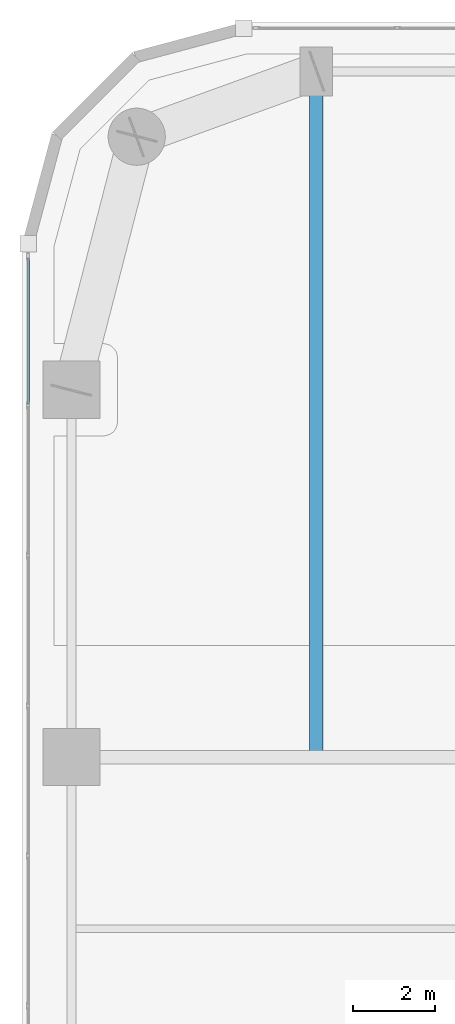
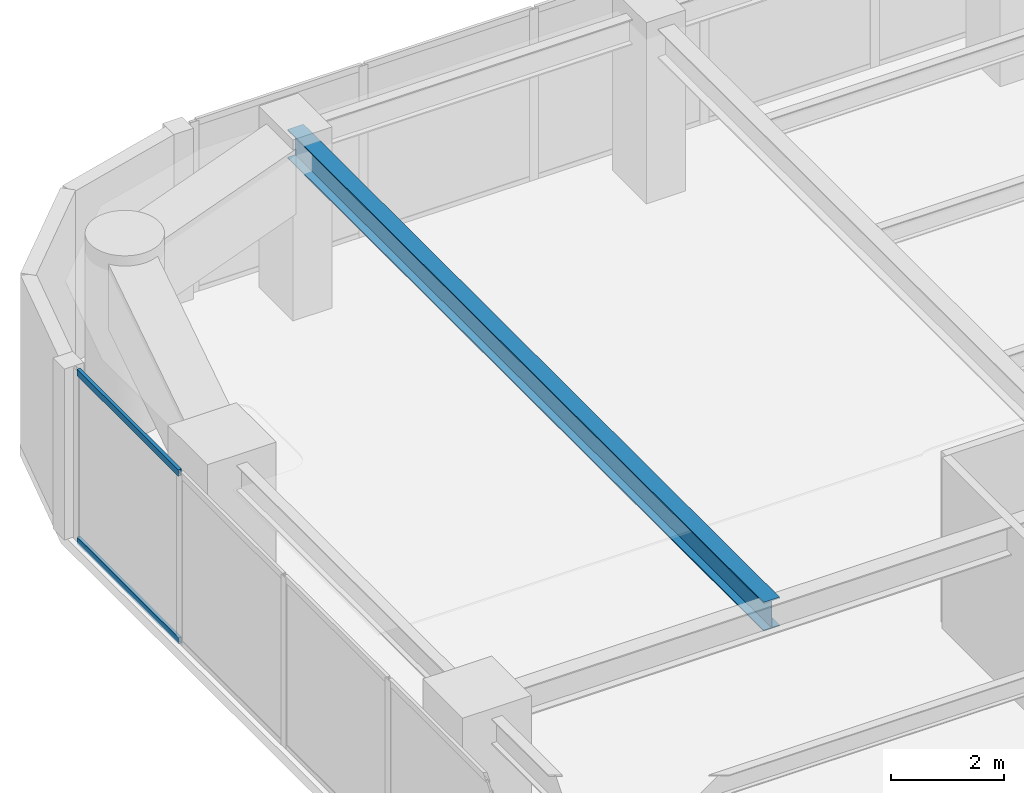
# One storey, part 14 of 30: 2 members, 1 beam, 1 element without a shape of its own.
"""IFC4 building model written with IfcOpenShell, lengths in metres."""

from ifc_helpers import new_model, si_unit, direction, frame, origin, origin_2d, place, context, subcontext, project, spatial, hollow_rectangle, i_section, extrude, material, layer, layer_set, material_profile, profile_set, type_object, element, aggregate, save


model = new_model("IFC4")

# Units and contexts
model_context = context("Model", 3, precision=1e-05, world=origin(), true_north=direction((0.0, 1.0)))
body_context = subcontext(model_context, "Body", "Model", "MODEL_VIEW")
ifc_project = project(units=[si_unit("LENGTHUNIT", "METRE"), si_unit("AREAUNIT", "SQUARE_METRE"), si_unit("VOLUMEUNIT", "CUBIC_METRE"), si_unit("PLANEANGLEUNIT", "RADIAN"), si_unit("MASSUNIT", "GRAM", prefix="KILO")], contexts=[model_context])

# Site, building, storey
site_placement = place(None, origin())
site = spatial("IfcSite", under=ifc_project, at=site_placement, CompositionType="ELEMENT")
building_placement = place(site_placement, origin())
building = spatial("IfcBuilding", under=site, at=building_placement, Name="Kiyonajd Concourse Tower", CompositionType="ELEMENT")
storey_placement = place(building_placement, frame((0.0, 0.0, 154.5)))
storey = spatial("IfcBuildingStorey", under=building, at=storey_placement, Name="L39", CompositionType="ELEMENT", Elevation=154.5)

# Beam
ifc_material_1 = material(Name="Steel ASTM A992 Grade 50", Category="steel")
ifc_material_profile_1 = material_profile(ifc_material_1, i_section(OverallWidth=0.326904296875, OverallDepth=0.6220703125, WebThickness=0.015380859375, FlangeThickness=0.0244140625, at=origin_2d()), Name="W610X195")
ifc_profile_set_1 = profile_set([ifc_material_profile_1], Name="Steel ASTM A992 Grade 50")
beam_type = type_object("IfcBeamType", Name="BM-TWR-610A", PredefinedType="BEAM", material=ifc_profile_set_1)
beam_placement = place(storey_placement, frame((25.199951171875, 44.39990234375, 3.368896484375), z_axis=(0.0, 1.0, 0.0), x_axis=(-1.0, 0.0, 0.0)))
element("IfcBeam", 1, at=beam_placement, inside=storey, type_object=beam_type, Name="L39 North Lease Girder", PredefinedType="BEAM", context=body_context, shape_type="SweptSolid", body=[
    extrude(i_section(OverallWidth=0.326904296875, OverallDepth=0.6220703125, WebThickness=0.015380859375, FlangeThickness=0.0244140625, at=origin_2d()), origin(), (0.0, 0.0, 1.0), 16.800048828125),
])

# Curtain wall, members
ifc_material_2 = material(Name="Thermally Broken Anodised Aluminium", Category="aluminium")
ifc_layer = layer(ifc_material_2, 0.179931640625)
ifc_layer_set = layer_set([ifc_layer], Name="Thermally Broken Anodised Aluminium")
curtain_wall_type = type_object("IfcCurtainWallType", Name="CW-SYS-03", PredefinedType="NOTDEFINED", material=ifc_layer_set)
curtain_wall_placement = place(storey_placement, origin())
curtain_wall = element("IfcCurtainWall", 2, at=curtain_wall_placement, inside=storey, type_object=curtain_wall_type, Name="L39 Unitised Curtain Wall CW3", PredefinedType="NOTDEFINED")
ifc_material_profile_2 = material_profile(ifc_material_2, hollow_rectangle(XDim=0.06494140625, YDim=0.139892578125, WallThickness=0.00390625, at=origin_2d()), Name="TRAN-65x140")
ifc_profile_set_2 = profile_set([ifc_material_profile_2], Name="Thermally Broken Anodised Aluminium")
member_type = type_object("IfcMemberType", Name="MB-CW-TRAN1", PredefinedType="USERDEFINED", material=ifc_profile_set_2)
member_1_placement = place(storey_placement, frame((18.139892578125, 53.047119140625, 0.032470703125), z_axis=(0.0, 1.0, 0.0), x_axis=(-1.0, 0.0, 0.0)))
member_1 = element("IfcMember", 3, at=member_1_placement, type_object=member_type, Name="CW3 transom 6.1", ObjectType="TRANSOM", PredefinedType="USERDEFINED", context=body_context, shape_type="SweptSolid", body=[
    extrude(hollow_rectangle(XDim=0.06494140625, YDim=0.139892578125, WallThickness=0.00390625, at=origin_2d()), origin(), (0.0, 0.0, 1.0), 3.57958984375),
])
member_2_placement = place(storey_placement, frame((18.139892578125, 53.047119140625, 3.6474609375), z_axis=(0.0, 1.0, 0.0), x_axis=(-1.0, 0.0, 0.0)))
member_2 = element("IfcMember", 4, at=member_2_placement, type_object=member_type, Name="CW3 transom 6.2", ObjectType="TRANSOM", PredefinedType="USERDEFINED", context=body_context, shape_type="SweptSolid", body=[
    extrude(hollow_rectangle(XDim=0.06494140625, YDim=0.139892578125, WallThickness=0.00390625, at=origin_2d()), origin(), (0.0, 0.0, 1.0), 3.57958984375),
])
aggregate(curtain_wall, [member_1, member_2])

save(model, "model.ifc")
